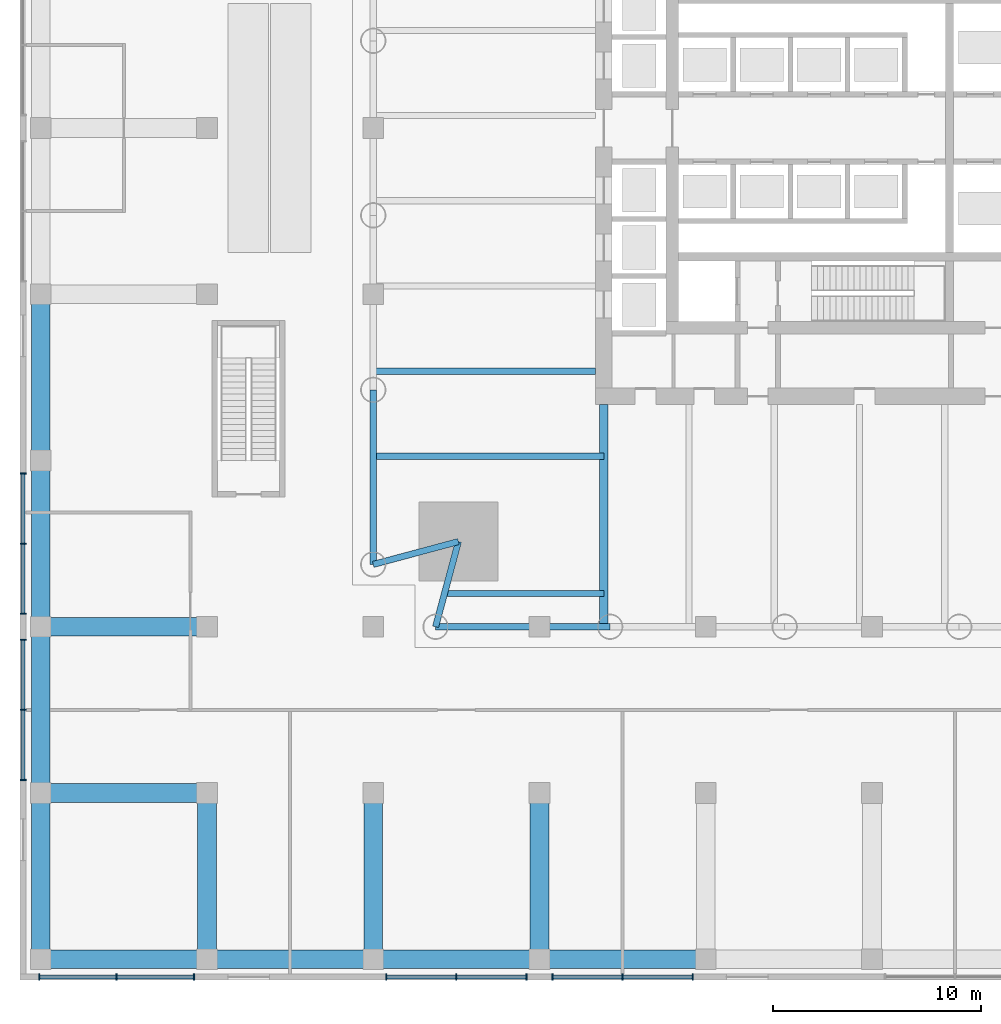
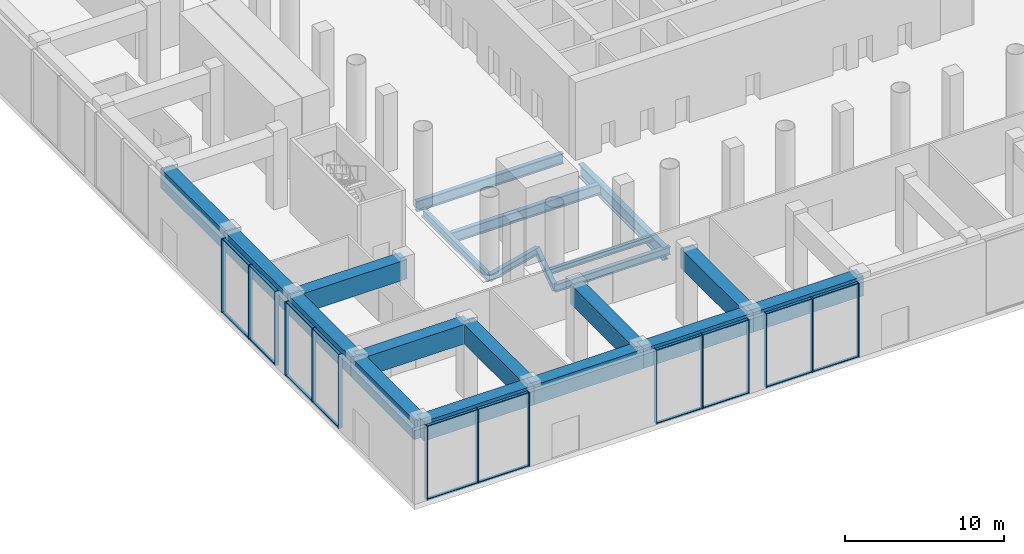
# One storey, part 5 of 39: 35 members, 21 beams, 5 elements without a shape of their own.
"""IFC4 building model written with IfcOpenShell, lengths in metres."""

from ifc_helpers import new_model, si_unit, direction, frame, origin, origin_2d, place, context, subcontext, project, spatial, rectangle, i_section, extrude, material, material_profile, profile_set, type_object, element, aggregate, save


model = new_model("IFC4")

# Units and contexts
model_context = context("Model", 3, precision=1e-05, world=origin(), true_north=direction((0.0, 1.0)))
body_context = subcontext(model_context, "Body", "Model", "MODEL_VIEW")
ifc_project = project(units=[si_unit("LENGTHUNIT", "METRE"), si_unit("AREAUNIT", "SQUARE_METRE"), si_unit("VOLUMEUNIT", "CUBIC_METRE"), si_unit("PLANEANGLEUNIT", "RADIAN"), si_unit("MASSUNIT", "GRAM", prefix="KILO")], contexts=[model_context])

# Site, building, storey
site_placement = place(None, origin())
site = spatial("IfcSite", under=ifc_project, at=site_placement, CompositionType="ELEMENT")
building_placement = place(site_placement, origin())
building = spatial("IfcBuilding", under=site, at=building_placement, Name="Ostroluk Exchange", CompositionType="ELEMENT")
storey_placement = place(building_placement, origin())
storey = spatial("IfcBuildingStorey", under=building, at=storey_placement, Name="L00", CompositionType="ELEMENT", Elevation=0.0)

# Beams
ifc_material_1 = material(Name="Steel S355", Category="steel")
ifc_material_profile_1 = material_profile(ifc_material_1, i_section(OverallWidth=0.300048828125, OverallDepth=0.550048828125, WebThickness=0.014892578125, FlangeThickness=0.029052734375, FilletRadius=0.027099609375, at=origin_2d()), Name="HEB 550")
ifc_profile_set_1 = profile_set([ifc_material_profile_1], Name="Steel S355")
beam_type_1 = type_object("IfcBeamType", Name="Corner edge beam HEB 550", PredefinedType="SPANDREL", material=ifc_profile_set_1)
for number, where, z_axis, x_axis, name in (
    (1, (25.10009765625, 26.10009765625, -0.574951171875), (-0.965838624319, -0.259144268261, 0.0), (0.259144268261, -0.965838624319, 0.0), "T1 west corner edge beam a"),
    (2, (25.10009765625, 26.10009765625, -0.574951171875), (-0.259144268261, -0.965838624319, 0.0), (0.965838624319, -0.259144268261, 0.0), "T1 west corner edge beam b"),
):
    element("IfcBeam", number, at=place(storey_placement, frame(where, z_axis=z_axis, x_axis=x_axis)), inside=storey, type_object=beam_type_1, Name=name, PredefinedType="SPANDREL", context=body_context, shape_type="SweptSolid", body=[
        extrude(i_section(OverallWidth=0.300048828125, OverallDepth=0.550048828125, WebThickness=0.014892578125, FlangeThickness=0.029052734375, FilletRadius=0.027099609375, at=origin_2d()), origin(), (0.0, 0.0, 1.0), 4.2451171875),
    ])
ifc_material_2 = material(Name="Steel S355", Category="steel")
ifc_material_profile_2 = material_profile(ifc_material_2, i_section(OverallWidth=0.300048828125, OverallDepth=0.39990234375, WebThickness=0.013427734375, FlangeThickness=0.02392578125, FilletRadius=0.027099609375, at=origin_2d()), Name="HEB 400")
ifc_profile_set_2 = profile_set([ifc_material_profile_2], Name="Steel S355")
beam_type_2 = type_object("IfcBeamType", Name="Floor beam HEB 400", PredefinedType="BEAM", material=ifc_profile_set_2)
beam_1_placement = place(storey_placement, frame((32.10009765625, 23.60009765625, -0.5), z_axis=(-1.0, 0.0, 0.0), x_axis=(0.0, -1.0, 0.0)))
element("IfcBeam", 3, at=beam_1_placement, inside=storey, type_object=beam_type_2, Name="T1 west floor beam 8", PredefinedType="BEAM", context=body_context, shape_type="SweptSolid", body=[
    extrude(i_section(OverallWidth=0.300048828125, OverallDepth=0.39990234375, WebThickness=0.013427734375, FlangeThickness=0.02392578125, FilletRadius=0.027099609375, at=origin_2d()), origin(), (0.0, 0.0, 1.0), 7.6708984375),
])
ifc_material_3 = material(Name="Steel S355", Category="steel")
ifc_material_profile_3 = material_profile(ifc_material_3, i_section(OverallWidth=0.302978515625, OverallDepth=0.81396484375, WebThickness=0.02099609375, FlangeThickness=0.0400390625, FilletRadius=0.030029296875, at=origin_2d()), Name="HEM 800")
ifc_profile_set_3 = profile_set([ifc_material_profile_3], Name="Steel S355")
beam_type_3 = type_object("IfcBeamType", Name="Floor beam HEM 800", PredefinedType="BEAM", material=ifc_profile_set_3)
beam_2_placement = place(storey_placement, frame((31.699951171875, 34.300048828125, -0.70703125), z_axis=(-1.0, 0.0, 0.0), x_axis=(0.0, -1.0, 0.0)))
element("IfcBeam", 4, at=beam_2_placement, inside=storey, type_object=beam_type_3, Name="T1 west floor beam 6", PredefinedType="BEAM", context=body_context, shape_type="SweptSolid", body=[
    extrude(i_section(OverallWidth=0.302978515625, OverallDepth=0.81396484375, WebThickness=0.02099609375, FlangeThickness=0.0400390625, FilletRadius=0.030029296875, at=origin_2d()), origin(), (0.0, 0.0, 1.0), 10.699951171875),
])
beam_3_placement = place(storey_placement, frame((32.10009765625, 30.199951171875, -0.70703125), z_axis=(-1.0, 0.0, 0.0), x_axis=(0.0, -1.0, 0.0)))
element("IfcBeam", 5, at=beam_3_placement, inside=storey, type_object=beam_type_3, Name="T1 west floor beam 7", PredefinedType="BEAM", context=body_context, shape_type="SweptSolid", body=[
    extrude(i_section(OverallWidth=0.302978515625, OverallDepth=0.81396484375, WebThickness=0.02099609375, FlangeThickness=0.0400390625, FilletRadius=0.030029296875, at=origin_2d()), origin(), (0.0, 0.0, 1.0), 11.10009765625),
])
ifc_material_4 = material(Name="Steel S355", Category="steel")
ifc_material_profile_4 = material_profile(ifc_material_4, i_section(OverallWidth=0.402099609375, OverallDepth=1.011962890625, WebThickness=0.035888671875, FlangeThickness=0.055908203125, FilletRadius=0.030029296875, at=origin_2d()), Name="HL 1000x443")
ifc_profile_set_4 = profile_set([ifc_material_profile_4], Name="Steel S355")
beam_type_4 = type_object("IfcBeamType", Name="Girder HL 1000x443", PredefinedType="BEAM", material=ifc_profile_set_4)
beam_4_placement = place(storey_placement, frame((32.10009765625, 32.699951171875, -0.805908203125), z_axis=(0.0, -1.0, 0.0), x_axis=(1.0, 0.0, 0.0)))
element("IfcBeam", 6, at=beam_4_placement, inside=storey, type_object=beam_type_4, Name="T1 west girder", PredefinedType="BEAM", context=body_context, shape_type="SweptSolid", body=[
    extrude(i_section(OverallWidth=0.402099609375, OverallDepth=1.011962890625, WebThickness=0.035888671875, FlangeThickness=0.055908203125, FilletRadius=0.030029296875, at=origin_2d()), origin(), (0.0, 0.0, 1.0), 10.699951171875),
])
ifc_material_5 = material(Name="Steel S355", Category="steel")
ifc_material_profile_5 = material_profile(ifc_material_5, i_section(OverallWidth=0.300048828125, OverallDepth=0.60009765625, WebThickness=0.015380859375, FlangeThickness=0.030029296875, FilletRadius=0.027099609375, at=origin_2d()), Name="HEB 600")
ifc_profile_set_5 = profile_set([ifc_material_profile_5], Name="Steel S355")
beam_type_5 = type_object("IfcBeamType", Name="Moment-connected edge beam HEB 600", PredefinedType="SPANDREL", material=ifc_profile_set_5)
for number, where, z_axis, x_axis, name in (
    (7, (21.0, 33.39990234375, -0.60009765625), (0.0, -1.0, 0.0), (1.0, 0.0, 0.0), "T1 west edge beam 5"),
    (8, (24.0, 22.0, -0.60009765625), (1.0, 0.0, 0.0), (0.0, 1.0, 0.0), "T1 south edge beam 1"),
):
    element("IfcBeam", number, at=place(storey_placement, frame(where, z_axis=z_axis, x_axis=x_axis)), inside=storey, type_object=beam_type_5, Name=name, PredefinedType="SPANDREL", context=body_context, shape_type="SweptSolid", body=[
        extrude(i_section(OverallWidth=0.300048828125, OverallDepth=0.60009765625, WebThickness=0.015380859375, FlangeThickness=0.030029296875, FilletRadius=0.027099609375, at=origin_2d()), origin(), (0.0, 0.0, 1.0), 8.39990234375),
    ])
ifc_material_6 = material(Name="Concrete C50/60", Category="concrete")
ifc_material_profile_6 = material_profile(ifc_material_6, rectangle(XDim=0.89990234375, YDim=1.5, at=origin_2d()), Name="RC 900x1500")
ifc_profile_set_6 = profile_set([ifc_material_profile_6], Name="Concrete C50/60")
beam_type_6 = type_object("IfcBeamType", Name="Podium edge beam RC 900x1500", PredefinedType="BEAM", material=ifc_profile_set_6)
for number, where, z_axis, x_axis, name in (
    (9, (13.0, 6.0, 4.949951171875), (0.0, 1.0, 0.0), (-1.0, 0.0, 0.0), "Terrace beam L01 west S 13"),
    (10, (21.0, 6.0, 4.949951171875), (0.0, 1.0, 0.0), (-1.0, 0.0, 0.0), "Terrace beam L01 west S 21"),
    (11, (29.0, 6.0, 4.949951171875), (0.0, 1.0, 0.0), (-1.0, 0.0, 0.0), "Terrace beam L01 west S 29"),
    (12, (5.0, 14.0, 4.949951171875), (1.0, 0.0, 0.0), (0.0, 1.0, 0.0), "Terrace beam L01 west W 14"),
    (13, (5.0, 22.0, 4.949951171875), (1.0, 0.0, 0.0), (0.0, 1.0, 0.0), "Terrace beam L01 west W 22"),
    (14, (5.0, 6.0, 4.949951171875), (0.0, 1.0, 0.0), (-1.0, 0.0, 0.0), "Terrace bay beam L01 X5-6"),
    (15, (5.0, 14.0, 4.949951171875), (0.0, 1.0, 0.0), (-1.0, 0.0, 0.0), "Terrace bay beam L01 X5-14"),
    (16, (5.0, 22.0, 4.949951171875), (0.0, 1.0, 0.0), (-1.0, 0.0, 0.0), "Terrace bay beam L01 X5-22"),
    (17, (5.0, 30.0, 4.949951171875), (0.0, 1.0, 0.0), (-1.0, 0.0, 0.0), "Terrace bay beam L01 X5-30"),
    (18, (5.0, 6.0, 4.949951171875), (1.0, 0.0, 0.0), (0.0, 1.0, 0.0), "Terrace bay beam L01 Y6-5"),
    (19, (13.0, 6.0, 4.949951171875), (1.0, 0.0, 0.0), (0.0, 1.0, 0.0), "Terrace bay beam L01 Y6-13"),
    (20, (21.0, 6.0, 4.949951171875), (1.0, 0.0, 0.0), (0.0, 1.0, 0.0), "Terrace bay beam L01 Y6-21"),
    (21, (29.0, 6.0, 4.949951171875), (1.0, 0.0, 0.0), (0.0, 1.0, 0.0), "Terrace bay beam L01 Y6-29"),
):
    element("IfcBeam", number, at=place(storey_placement, frame(where, z_axis=z_axis, x_axis=x_axis)), inside=storey, type_object=beam_type_6, Name=name, PredefinedType="BEAM", context=body_context, shape_type="SweptSolid", body=[
        extrude(rectangle(XDim=0.89990234375, YDim=1.5, at=origin_2d()), origin(), (0.0, 0.0, 1.0), 8.0),
    ])

# Curtain wall, members
ifc_material_7 = material(Name="Laminated clear glass", Category="glass")
curtain_wall_type = type_object("IfcCurtainWallType", Name="Podium shopfront", PredefinedType="USERDEFINED", material=ifc_material_7)
curtain_wall_1_placement = place(storey_placement, origin())
curtain_wall_1 = element("IfcCurtainWall", 22, at=curtain_wall_1_placement, inside=storey, type_object=curtain_wall_type, Name="Podium west S shopfront 1", ObjectType="STICK SHOPFRONT", PredefinedType="USERDEFINED")
ifc_material_8 = material(Name="Aluminium mullion", Category="aluminium")
ifc_material_profile_7 = material_profile(ifc_material_8, rectangle(XDim=0.300048828125, YDim=0.06005859375, at=origin_2d()), Name="Shopfront mullion 60 x 300")
ifc_profile_set_7 = profile_set([ifc_material_profile_7], Name="Aluminium mullion")
member_type_1 = type_object("IfcMemberType", Name="Shopfront mullion 60 x 300", PredefinedType="MULLION", material=ifc_profile_set_7)
member_1_placement = place(storey_placement, frame((4.929931640625, 5.14990234375, 0.0), z_axis=(0.0, 0.0, 1.0), x_axis=(0.0, 1.0, 0.0)))
member_1 = element("IfcMember", 23, at=member_1_placement, type_object=member_type_1, Name="CW-SF1 mullion 1", PredefinedType="MULLION", context=body_context, shape_type="SweptSolid", body=[
    extrude(rectangle(XDim=0.300048828125, YDim=0.06005859375, at=origin_2d()), origin(), (0.0, 0.0, 1.0), 5.699951171875),
])
member_2_placement = place(storey_placement, frame((8.64990234375, 5.14990234375, 0.0), z_axis=(0.0, 0.0, 1.0), x_axis=(0.0, 1.0, 0.0)))
member_2 = element("IfcMember", 24, at=member_2_placement, type_object=member_type_1, Name="CW-SF1 mullion 2", PredefinedType="MULLION", context=body_context, shape_type="SweptSolid", body=[
    extrude(rectangle(XDim=0.300048828125, YDim=0.06005859375, at=origin_2d()), origin(), (0.0, 0.0, 1.0), 5.699951171875),
])
member_3_placement = place(storey_placement, frame((12.3701171875, 5.14990234375, 0.0), z_axis=(0.0, 0.0, 1.0), x_axis=(0.0, 1.0, 0.0)))
member_3 = element("IfcMember", 25, at=member_3_placement, type_object=member_type_1, Name="CW-SF1 mullion 3", PredefinedType="MULLION", context=body_context, shape_type="SweptSolid", body=[
    extrude(rectangle(XDim=0.300048828125, YDim=0.06005859375, at=origin_2d()), origin(), (0.0, 0.0, 1.0), 5.699951171875),
])

curtain_wall_2_placement = place(storey_placement, origin())
curtain_wall_2 = element("IfcCurtainWall", 26, at=curtain_wall_2_placement, inside=storey, type_object=curtain_wall_type, Name="Podium west S shopfront 2", ObjectType="STICK SHOPFRONT", PredefinedType="USERDEFINED")
member_4_placement = place(storey_placement, frame((21.6298828125, 5.14990234375, 0.0), z_axis=(0.0, 0.0, 1.0), x_axis=(0.0, 1.0, 0.0)))
member_4 = element("IfcMember", 27, at=member_4_placement, type_object=member_type_1, Name="CW-SF1 mullion 1", PredefinedType="MULLION", context=body_context, shape_type="SweptSolid", body=[
    extrude(rectangle(XDim=0.300048828125, YDim=0.06005859375, at=origin_2d()), origin(), (0.0, 0.0, 1.0), 5.699951171875),
])
member_5_placement = place(storey_placement, frame((25.0, 5.14990234375, 0.0), z_axis=(0.0, 0.0, 1.0), x_axis=(0.0, 1.0, 0.0)))
member_5 = element("IfcMember", 28, at=member_5_placement, type_object=member_type_1, Name="CW-SF1 mullion 2", PredefinedType="MULLION", context=body_context, shape_type="SweptSolid", body=[
    extrude(rectangle(XDim=0.300048828125, YDim=0.06005859375, at=origin_2d()), origin(), (0.0, 0.0, 1.0), 5.699951171875),
])
member_6_placement = place(storey_placement, frame((28.3701171875, 5.14990234375, 0.0), z_axis=(0.0, 0.0, 1.0), x_axis=(0.0, 1.0, 0.0)))
member_6 = element("IfcMember", 29, at=member_6_placement, type_object=member_type_1, Name="CW-SF1 mullion 3", PredefinedType="MULLION", context=body_context, shape_type="SweptSolid", body=[
    extrude(rectangle(XDim=0.300048828125, YDim=0.06005859375, at=origin_2d()), origin(), (0.0, 0.0, 1.0), 5.699951171875),
])

curtain_wall_3_placement = place(storey_placement, origin())
curtain_wall_3 = element("IfcCurtainWall", 30, at=curtain_wall_3_placement, inside=storey, type_object=curtain_wall_type, Name="Podium west S shopfront 3", ObjectType="STICK SHOPFRONT", PredefinedType="USERDEFINED")
member_7_placement = place(storey_placement, frame((29.6298828125, 5.14990234375, 0.0), z_axis=(0.0, 0.0, 1.0), x_axis=(0.0, 1.0, 0.0)))
member_7 = element("IfcMember", 31, at=member_7_placement, type_object=member_type_1, Name="CW-SF1 mullion 1", PredefinedType="MULLION", context=body_context, shape_type="SweptSolid", body=[
    extrude(rectangle(XDim=0.300048828125, YDim=0.06005859375, at=origin_2d()), origin(), (0.0, 0.0, 1.0), 5.699951171875),
])
member_8_placement = place(storey_placement, frame((33.0, 5.14990234375, 0.0), z_axis=(0.0, 0.0, 1.0), x_axis=(0.0, 1.0, 0.0)))
member_8 = element("IfcMember", 32, at=member_8_placement, type_object=member_type_1, Name="CW-SF1 mullion 2", PredefinedType="MULLION", context=body_context, shape_type="SweptSolid", body=[
    extrude(rectangle(XDim=0.300048828125, YDim=0.06005859375, at=origin_2d()), origin(), (0.0, 0.0, 1.0), 5.699951171875),
])
member_9_placement = place(storey_placement, frame((36.3701171875, 5.14990234375, 0.0), z_axis=(0.0, 0.0, 1.0), x_axis=(0.0, 1.0, 0.0)))
member_9 = element("IfcMember", 33, at=member_9_placement, type_object=member_type_1, Name="CW-SF1 mullion 3", PredefinedType="MULLION", context=body_context, shape_type="SweptSolid", body=[
    extrude(rectangle(XDim=0.300048828125, YDim=0.06005859375, at=origin_2d()), origin(), (0.0, 0.0, 1.0), 5.699951171875),
])

curtain_wall_4_placement = place(storey_placement, origin())
curtain_wall_4 = element("IfcCurtainWall", 34, at=curtain_wall_4_placement, inside=storey, type_object=curtain_wall_type, Name="Podium west W shopfront 6", ObjectType="STICK SHOPFRONT", PredefinedType="USERDEFINED")
member_10_placement = place(storey_placement, frame((4.14990234375, 29.3701171875, 0.0), z_axis=(0.0, 0.0, 1.0), x_axis=(1.0, 0.0, 0.0)))
member_10 = element("IfcMember", 35, at=member_10_placement, type_object=member_type_1, Name="CW-SF1 mullion 1", PredefinedType="MULLION", context=body_context, shape_type="SweptSolid", body=[
    extrude(rectangle(XDim=0.300048828125, YDim=0.06005859375, at=origin_2d()), origin(), (0.0, 0.0, 1.0), 5.699951171875),
])
member_11_placement = place(storey_placement, frame((4.14990234375, 26.0, 0.0), z_axis=(0.0, 0.0, 1.0), x_axis=(1.0, 0.0, 0.0)))
member_11 = element("IfcMember", 36, at=member_11_placement, type_object=member_type_1, Name="CW-SF1 mullion 2", PredefinedType="MULLION", context=body_context, shape_type="SweptSolid", body=[
    extrude(rectangle(XDim=0.300048828125, YDim=0.06005859375, at=origin_2d()), origin(), (0.0, 0.0, 1.0), 5.699951171875),
])
member_12_placement = place(storey_placement, frame((4.14990234375, 22.6298828125, 0.0), z_axis=(0.0, 0.0, 1.0), x_axis=(1.0, 0.0, 0.0)))
member_12 = element("IfcMember", 37, at=member_12_placement, type_object=member_type_1, Name="CW-SF1 mullion 3", PredefinedType="MULLION", context=body_context, shape_type="SweptSolid", body=[
    extrude(rectangle(XDim=0.300048828125, YDim=0.06005859375, at=origin_2d()), origin(), (0.0, 0.0, 1.0), 5.699951171875),
])

curtain_wall_5_placement = place(storey_placement, origin())
curtain_wall_5 = element("IfcCurtainWall", 38, at=curtain_wall_5_placement, inside=storey, type_object=curtain_wall_type, Name="Podium west W shopfront 7", ObjectType="STICK SHOPFRONT", PredefinedType="USERDEFINED")
member_13_placement = place(storey_placement, frame((4.14990234375, 21.3701171875, 0.0), z_axis=(0.0, 0.0, 1.0), x_axis=(1.0, 0.0, 0.0)))
member_13 = element("IfcMember", 39, at=member_13_placement, type_object=member_type_1, Name="CW-SF1 mullion 1", PredefinedType="MULLION", context=body_context, shape_type="SweptSolid", body=[
    extrude(rectangle(XDim=0.300048828125, YDim=0.06005859375, at=origin_2d()), origin(), (0.0, 0.0, 1.0), 5.699951171875),
])
member_14_placement = place(storey_placement, frame((4.14990234375, 18.0, 0.0), z_axis=(0.0, 0.0, 1.0), x_axis=(1.0, 0.0, 0.0)))
member_14 = element("IfcMember", 40, at=member_14_placement, type_object=member_type_1, Name="CW-SF1 mullion 2", PredefinedType="MULLION", context=body_context, shape_type="SweptSolid", body=[
    extrude(rectangle(XDim=0.300048828125, YDim=0.06005859375, at=origin_2d()), origin(), (0.0, 0.0, 1.0), 5.699951171875),
])
member_15_placement = place(storey_placement, frame((4.14990234375, 14.6298828125, 0.0), z_axis=(0.0, 0.0, 1.0), x_axis=(1.0, 0.0, 0.0)))
member_15 = element("IfcMember", 41, at=member_15_placement, type_object=member_type_1, Name="CW-SF1 mullion 3", PredefinedType="MULLION", context=body_context, shape_type="SweptSolid", body=[
    extrude(rectangle(XDim=0.300048828125, YDim=0.06005859375, at=origin_2d()), origin(), (0.0, 0.0, 1.0), 5.699951171875),
])

# Member
ifc_material_9 = material(Name="Aluminium mullion", Category="aluminium")
ifc_material_profile_8 = material_profile(ifc_material_9, rectangle(XDim=0.199951171875, YDim=0.06005859375, at=origin_2d()), Name="Shopfront transom 60 x 200")
ifc_profile_set_8 = profile_set([ifc_material_profile_8], Name="Aluminium mullion")
member_type_2 = type_object("IfcMemberType", Name="Shopfront transom 60 x 200", PredefinedType="USERDEFINED", material=ifc_profile_set_8)
member_16_placement = place(storey_placement, frame((4.9599609375, 5.14990234375, 0.030029296875), z_axis=(1.0, 0.0, 0.0), x_axis=(0.0, 1.0, 0.0)))
member_16 = element("IfcMember", 42, at=member_16_placement, type_object=member_type_2, Name="CW-SF1 transom 1.1", ObjectType="TRANSOM", PredefinedType="USERDEFINED", context=body_context, shape_type="SweptSolid", body=[
    extrude(rectangle(XDim=0.199951171875, YDim=0.06005859375, at=origin_2d()), origin(), (0.0, 0.0, 1.0), 3.66015625),
])

member_17_placement = place(storey_placement, frame((4.9599609375, 5.14990234375, 5.669921875), z_axis=(1.0, 0.0, 0.0), x_axis=(0.0, 1.0, 0.0)))
member_17 = element("IfcMember", 43, at=member_17_placement, type_object=member_type_2, Name="CW-SF1 transom 1.2", ObjectType="TRANSOM", PredefinedType="USERDEFINED", context=body_context, shape_type="SweptSolid", body=[
    extrude(rectangle(XDim=0.199951171875, YDim=0.06005859375, at=origin_2d()), origin(), (0.0, 0.0, 1.0), 3.66015625),
])

member_18_placement = place(storey_placement, frame((8.679931640625, 5.14990234375, 0.030029296875), z_axis=(1.0, 0.0, 0.0), x_axis=(0.0, 1.0, 0.0)))
member_18 = element("IfcMember", 44, at=member_18_placement, type_object=member_type_2, Name="CW-SF1 transom 2.1", ObjectType="TRANSOM", PredefinedType="USERDEFINED", context=body_context, shape_type="SweptSolid", body=[
    extrude(rectangle(XDim=0.199951171875, YDim=0.06005859375, at=origin_2d()), origin(), (0.0, 0.0, 1.0), 3.66015625),
])

member_19_placement = place(storey_placement, frame((8.679931640625, 5.14990234375, 5.669921875), z_axis=(1.0, 0.0, 0.0), x_axis=(0.0, 1.0, 0.0)))
member_19 = element("IfcMember", 45, at=member_19_placement, type_object=member_type_2, Name="CW-SF1 transom 2.2", ObjectType="TRANSOM", PredefinedType="USERDEFINED", context=body_context, shape_type="SweptSolid", body=[
    extrude(rectangle(XDim=0.199951171875, YDim=0.06005859375, at=origin_2d()), origin(), (0.0, 0.0, 1.0), 3.66015625),
])

aggregate(curtain_wall_1, [member_1, member_2, member_3, member_16, member_17, member_18, member_19])

member_20_placement = place(storey_placement, frame((21.659912109375, 5.14990234375, 0.030029296875), z_axis=(1.0, 0.0, 0.0), x_axis=(0.0, 1.0, 0.0)))
member_20 = element("IfcMember", 46, at=member_20_placement, type_object=member_type_2, Name="CW-SF1 transom 1.1", ObjectType="TRANSOM", PredefinedType="USERDEFINED", context=body_context, shape_type="SweptSolid", body=[
    extrude(rectangle(XDim=0.199951171875, YDim=0.06005859375, at=origin_2d()), origin(), (0.0, 0.0, 1.0), 3.31005859375),
])

member_21_placement = place(storey_placement, frame((21.659912109375, 5.14990234375, 5.669921875), z_axis=(1.0, 0.0, 0.0), x_axis=(0.0, 1.0, 0.0)))
member_21 = element("IfcMember", 47, at=member_21_placement, type_object=member_type_2, Name="CW-SF1 transom 1.2", ObjectType="TRANSOM", PredefinedType="USERDEFINED", context=body_context, shape_type="SweptSolid", body=[
    extrude(rectangle(XDim=0.199951171875, YDim=0.06005859375, at=origin_2d()), origin(), (0.0, 0.0, 1.0), 3.31005859375),
])

member_22_placement = place(storey_placement, frame((25.030029296875, 5.14990234375, 0.030029296875), z_axis=(1.0, 0.0, 0.0), x_axis=(0.0, 1.0, 0.0)))
member_22 = element("IfcMember", 48, at=member_22_placement, type_object=member_type_2, Name="CW-SF1 transom 2.1", ObjectType="TRANSOM", PredefinedType="USERDEFINED", context=body_context, shape_type="SweptSolid", body=[
    extrude(rectangle(XDim=0.199951171875, YDim=0.06005859375, at=origin_2d()), origin(), (0.0, 0.0, 1.0), 3.31005859375),
])

member_23_placement = place(storey_placement, frame((25.030029296875, 5.14990234375, 5.669921875), z_axis=(1.0, 0.0, 0.0), x_axis=(0.0, 1.0, 0.0)))
member_23 = element("IfcMember", 49, at=member_23_placement, type_object=member_type_2, Name="CW-SF1 transom 2.2", ObjectType="TRANSOM", PredefinedType="USERDEFINED", context=body_context, shape_type="SweptSolid", body=[
    extrude(rectangle(XDim=0.199951171875, YDim=0.06005859375, at=origin_2d()), origin(), (0.0, 0.0, 1.0), 3.31005859375),
])

aggregate(curtain_wall_2, [member_4, member_5, member_6, member_20, member_21, member_22, member_23])

member_24_placement = place(storey_placement, frame((29.659912109375, 5.14990234375, 0.030029296875), z_axis=(1.0, 0.0, 0.0), x_axis=(0.0, 1.0, 0.0)))
member_24 = element("IfcMember", 50, at=member_24_placement, type_object=member_type_2, Name="CW-SF1 transom 1.1", ObjectType="TRANSOM", PredefinedType="USERDEFINED", context=body_context, shape_type="SweptSolid", body=[
    extrude(rectangle(XDim=0.199951171875, YDim=0.06005859375, at=origin_2d()), origin(), (0.0, 0.0, 1.0), 3.31005859375),
])

member_25_placement = place(storey_placement, frame((29.659912109375, 5.14990234375, 5.669921875), z_axis=(1.0, 0.0, 0.0), x_axis=(0.0, 1.0, 0.0)))
member_25 = element("IfcMember", 51, at=member_25_placement, type_object=member_type_2, Name="CW-SF1 transom 1.2", ObjectType="TRANSOM", PredefinedType="USERDEFINED", context=body_context, shape_type="SweptSolid", body=[
    extrude(rectangle(XDim=0.199951171875, YDim=0.06005859375, at=origin_2d()), origin(), (0.0, 0.0, 1.0), 3.31005859375),
])

member_26_placement = place(storey_placement, frame((33.030029296875, 5.14990234375, 0.030029296875), z_axis=(1.0, 0.0, 0.0), x_axis=(0.0, 1.0, 0.0)))
member_26 = element("IfcMember", 52, at=member_26_placement, type_object=member_type_2, Name="CW-SF1 transom 2.1", ObjectType="TRANSOM", PredefinedType="USERDEFINED", context=body_context, shape_type="SweptSolid", body=[
    extrude(rectangle(XDim=0.199951171875, YDim=0.06005859375, at=origin_2d()), origin(), (0.0, 0.0, 1.0), 3.31005859375),
])

member_27_placement = place(storey_placement, frame((33.030029296875, 5.14990234375, 5.669921875), z_axis=(1.0, 0.0, 0.0), x_axis=(0.0, 1.0, 0.0)))
member_27 = element("IfcMember", 53, at=member_27_placement, type_object=member_type_2, Name="CW-SF1 transom 2.2", ObjectType="TRANSOM", PredefinedType="USERDEFINED", context=body_context, shape_type="SweptSolid", body=[
    extrude(rectangle(XDim=0.199951171875, YDim=0.06005859375, at=origin_2d()), origin(), (0.0, 0.0, 1.0), 3.31005859375),
])

aggregate(curtain_wall_3, [member_7, member_8, member_9, member_24, member_25, member_26, member_27])

member_28_placement = place(storey_placement, frame((4.14990234375, 29.340087890625, 0.030029296875), z_axis=(0.0, -1.0, 0.0), x_axis=(1.0, 0.0, 0.0)))
member_28 = element("IfcMember", 54, at=member_28_placement, type_object=member_type_2, Name="CW-SF1 transom 1.1", ObjectType="TRANSOM", PredefinedType="USERDEFINED", context=body_context, shape_type="SweptSolid", body=[
    extrude(rectangle(XDim=0.199951171875, YDim=0.06005859375, at=origin_2d()), origin(), (0.0, 0.0, 1.0), 3.31005859375),
])

member_29_placement = place(storey_placement, frame((4.14990234375, 29.340087890625, 5.669921875), z_axis=(0.0, -1.0, 0.0), x_axis=(1.0, 0.0, 0.0)))
member_29 = element("IfcMember", 55, at=member_29_placement, type_object=member_type_2, Name="CW-SF1 transom 1.2", ObjectType="TRANSOM", PredefinedType="USERDEFINED", context=body_context, shape_type="SweptSolid", body=[
    extrude(rectangle(XDim=0.199951171875, YDim=0.06005859375, at=origin_2d()), origin(), (0.0, 0.0, 1.0), 3.31005859375),
])

member_30_placement = place(storey_placement, frame((4.14990234375, 25.969970703125, 0.030029296875), z_axis=(0.0, -1.0, 0.0), x_axis=(1.0, 0.0, 0.0)))
member_30 = element("IfcMember", 56, at=member_30_placement, type_object=member_type_2, Name="CW-SF1 transom 2.1", ObjectType="TRANSOM", PredefinedType="USERDEFINED", context=body_context, shape_type="SweptSolid", body=[
    extrude(rectangle(XDim=0.199951171875, YDim=0.06005859375, at=origin_2d()), origin(), (0.0, 0.0, 1.0), 3.31005859375),
])

member_31_placement = place(storey_placement, frame((4.14990234375, 25.969970703125, 5.669921875), z_axis=(0.0, -1.0, 0.0), x_axis=(1.0, 0.0, 0.0)))
member_31 = element("IfcMember", 57, at=member_31_placement, type_object=member_type_2, Name="CW-SF1 transom 2.2", ObjectType="TRANSOM", PredefinedType="USERDEFINED", context=body_context, shape_type="SweptSolid", body=[
    extrude(rectangle(XDim=0.199951171875, YDim=0.06005859375, at=origin_2d()), origin(), (0.0, 0.0, 1.0), 3.31005859375),
])

aggregate(curtain_wall_4, [member_10, member_11, member_12, member_28, member_29, member_30, member_31])

member_32_placement = place(storey_placement, frame((4.14990234375, 21.340087890625, 0.030029296875), z_axis=(0.0, -1.0, 0.0), x_axis=(1.0, 0.0, 0.0)))
member_32 = element("IfcMember", 58, at=member_32_placement, type_object=member_type_2, Name="CW-SF1 transom 1.1", ObjectType="TRANSOM", PredefinedType="USERDEFINED", context=body_context, shape_type="SweptSolid", body=[
    extrude(rectangle(XDim=0.199951171875, YDim=0.06005859375, at=origin_2d()), origin(), (0.0, 0.0, 1.0), 3.31005859375),
])

member_33_placement = place(storey_placement, frame((4.14990234375, 21.340087890625, 5.669921875), z_axis=(0.0, -1.0, 0.0), x_axis=(1.0, 0.0, 0.0)))
member_33 = element("IfcMember", 59, at=member_33_placement, type_object=member_type_2, Name="CW-SF1 transom 1.2", ObjectType="TRANSOM", PredefinedType="USERDEFINED", context=body_context, shape_type="SweptSolid", body=[
    extrude(rectangle(XDim=0.199951171875, YDim=0.06005859375, at=origin_2d()), origin(), (0.0, 0.0, 1.0), 3.31005859375),
])

member_34_placement = place(storey_placement, frame((4.14990234375, 17.969970703125, 0.030029296875), z_axis=(0.0, -1.0, 0.0), x_axis=(1.0, 0.0, 0.0)))
member_34 = element("IfcMember", 60, at=member_34_placement, type_object=member_type_2, Name="CW-SF1 transom 2.1", ObjectType="TRANSOM", PredefinedType="USERDEFINED", context=body_context, shape_type="SweptSolid", body=[
    extrude(rectangle(XDim=0.199951171875, YDim=0.06005859375, at=origin_2d()), origin(), (0.0, 0.0, 1.0), 3.31005859375),
])

member_35_placement = place(storey_placement, frame((4.14990234375, 17.969970703125, 5.669921875), z_axis=(0.0, -1.0, 0.0), x_axis=(1.0, 0.0, 0.0)))
member_35 = element("IfcMember", 61, at=member_35_placement, type_object=member_type_2, Name="CW-SF1 transom 2.2", ObjectType="TRANSOM", PredefinedType="USERDEFINED", context=body_context, shape_type="SweptSolid", body=[
    extrude(rectangle(XDim=0.199951171875, YDim=0.06005859375, at=origin_2d()), origin(), (0.0, 0.0, 1.0), 3.31005859375),
])

aggregate(curtain_wall_5, [member_13, member_14, member_15, member_32, member_33, member_34, member_35])

save(model, "model.ifc")
